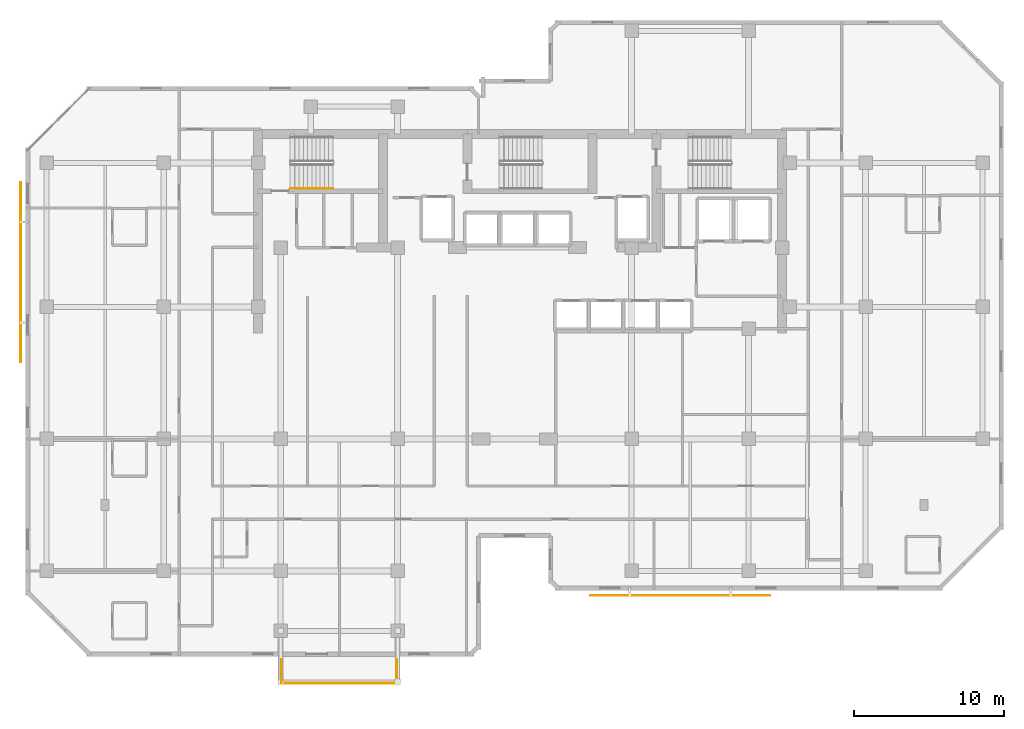
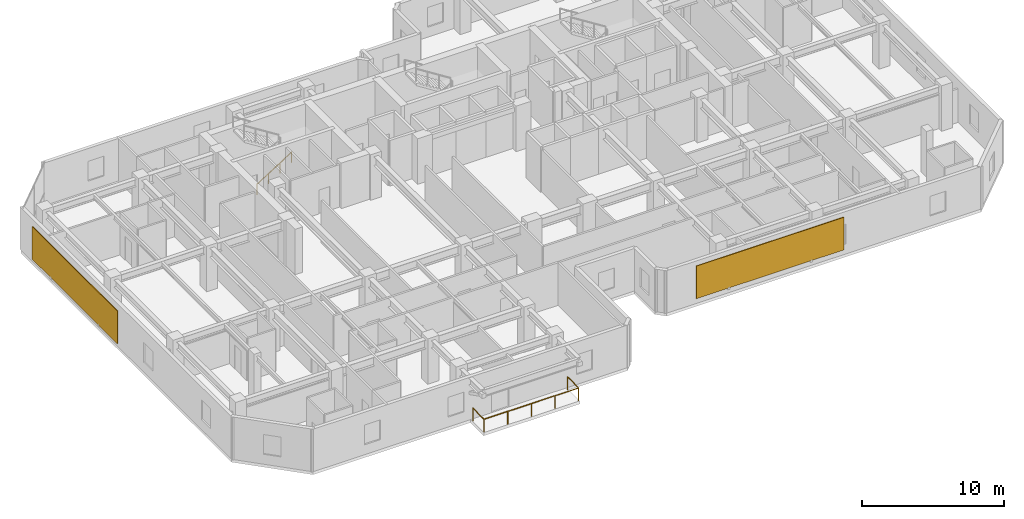
# One storey, part 10 of 11: 3 railings, 2 shading devices.
"""IFC4 building model written with IfcOpenShell, lengths in metres."""

from ifc_helpers import new_model, si_unit, direction, frame, origin, origin_2d, place, context, subcontext, project, spatial, rectangle, circle, extrude, material, layer, layer_set, type_object, element, save


model = new_model("IFC4")

# Units and contexts
model_context = context("Model", 3, precision=1e-05, world=origin(), true_north=direction((0.0, 1.0)))
body_context = subcontext(model_context, "Body", "Model", "MODEL_VIEW")
ifc_project = project(units=[si_unit("LENGTHUNIT", "METRE"), si_unit("AREAUNIT", "SQUARE_METRE"), si_unit("VOLUMEUNIT", "CUBIC_METRE"), si_unit("PLANEANGLEUNIT", "RADIAN"), si_unit("MASSUNIT", "GRAM", prefix="KILO")], contexts=[model_context])

# Site, building, storey
site_placement = place(None, origin())
site = spatial("IfcSite", under=ifc_project, at=site_placement, CompositionType="ELEMENT")
building_placement = place(site_placement, origin())
building = spatial("IfcBuilding", under=site, at=building_placement, Name="Kestravale Grand Hotel", CompositionType="ELEMENT")
storey_placement = place(building_placement, frame((0.0, 0.0, 204.60009765625)))
storey = spatial("IfcBuildingStorey", under=building, at=storey_placement, Name="L51", CompositionType="ELEMENT", Elevation=204.60009765625)

# Railings
ifc_material_1 = material(Name="Champagne-bronze stainless steel and laminated glass guard", Category="steel")
railing_type_1 = type_object("IfcRailingType", Name="RL-EXT-1100", PredefinedType="GUARDRAIL", material=ifc_material_1)
railing_1_placement = place(storey_placement, frame((23.4599609375, 3.7099609375, 0.0)))
element("IfcRailing", 1, at=railing_1_placement, inside=storey, type_object=railing_type_1, Name="L51 outdoor terrace guard 1", PredefinedType="GUARDRAIL", context=body_context, shape_type="SweptSolid", body=[
    extrude(circle(Radius=0.02392578125, at=origin_2d()), frame((0.0, 0.0, 1.09619140625), z_axis=(0.0, 1.0, 0.0), x_axis=(-1.0, 0.0, 0.0)), (0.0, 0.0, 1.0), 1.570068359375),
    extrude(circle(Radius=0.02099609375, at=origin_2d()), origin(), (0.0, 0.0, 1.0), 1.072021484375),
    extrude(circle(Radius=0.02099609375, at=origin_2d()), frame((0.0, 1.570068359375, 0.0)), (0.0, 0.0, 1.0), 1.072021484375),
])
railing_2_placement = place(storey_placement, frame((31.139892578125, 5.280029296875, 0.0)))
element("IfcRailing", 2, at=railing_2_placement, inside=storey, type_object=railing_type_1, Name="L51 outdoor terrace guard 2", PredefinedType="GUARDRAIL", context=body_context, shape_type="SweptSolid", body=[
    extrude(circle(Radius=0.02392578125, at=origin_2d()), frame((0.0, 0.0, 1.09619140625), z_axis=(0.0, -1.0, 0.0), x_axis=(1.0, 0.0, 0.0)), (0.0, 0.0, 1.0), 1.570068359375),
    extrude(circle(Radius=0.02392578125, at=origin_2d()), frame((0.0, -1.570068359375, 1.09619140625), z_axis=(-1.0, 0.0, 0.0), x_axis=(0.0, -1.0, 0.0)), (0.0, 0.0, 1.0), 7.679931640625),
    extrude(circle(Radius=0.02099609375, at=origin_2d()), origin(), (0.0, 0.0, 1.0), 1.072021484375),
    extrude(circle(Radius=0.02099609375, at=origin_2d()), frame((0.0, -1.570068359375, 0.0)), (0.0, 0.0, 1.0), 1.072021484375),
    extrude(circle(Radius=0.02099609375, at=origin_2d()), frame((-1.919921875, -1.570068359375, 0.0)), (0.0, 0.0, 1.0), 1.072021484375),
    extrude(circle(Radius=0.02099609375, at=origin_2d()), frame((-3.83984375, -1.570068359375, 0.0)), (0.0, 0.0, 1.0), 1.072021484375),
    extrude(circle(Radius=0.02099609375, at=origin_2d()), frame((-5.760009765625, -1.570068359375, 0.0)), (0.0, 0.0, 1.0), 1.072021484375),
    extrude(circle(Radius=0.02099609375, at=origin_2d()), frame((-7.679931640625, -1.570068359375, 0.0)), (0.0, 0.0, 1.0), 1.072021484375),
])
ifc_material_2 = material(Name="Brushed stainless steel wall handrail", Category="steel")
railing_type_2 = type_object("IfcRailingType", Name="RL-ST-HND900", PredefinedType="HANDRAIL", material=ifc_material_2)
railing_3_placement = place(storey_placement, frame((24.080078125, 36.699951171875, 0.17724609375)))
element("IfcRailing", 3, at=railing_3_placement, inside=storey, type_object=railing_type_2, Name="L51 ST-1 stair handrail 1", PredefinedType="HANDRAIL", context=body_context, shape_type="SweptSolid", body=[
    extrude(circle(Radius=0.02392578125, at=origin_2d()), frame((0.0, 0.0, 0.8759765625), z_axis=(0.844887892834, 0.0, 0.53494340686), x_axis=(0.0, 1.0, 0.0)), (0.0, 0.0, 1.0), 3.313720703125),
    extrude(circle(Radius=0.02099609375, at=origin_2d()), origin(), (0.0, 0.0, 1.0), 0.851806640625),
    extrude(circle(Radius=0.02099609375, at=origin_2d()), frame((0.933349609375, 0.0, 0.5908203125)), (0.0, 0.0, 1.0), 0.851806640625),
    extrude(circle(Radius=0.02099609375, at=origin_2d()), frame((1.866455078125, 0.0, 1.181884765625)), (0.0, 0.0, 1.0), 0.851806640625),
    extrude(circle(Radius=0.02099609375, at=origin_2d()), frame((2.7998046875, 0.0, 1.772705078125)), (0.0, 0.0, 1.0), 0.851806640625),
])

# Shading devices
ifc_material_3 = material(Name="Perforated champagne-bronze aluminium and ceramic solar screen", Category="aluminium")
ifc_layer = layer(ifc_material_3, 0.06494140625)
ifc_layer_set = layer_set([ifc_layer], Name="SHD-SCR-CHEV")
shading_device_type = type_object("IfcShadingDeviceType", Name="SHD-SCR-CHEV", PredefinedType="USERDEFINED", material=ifc_layer_set)
for number, where, z_axis, x_axis, name in (
    (4, (50.050048828125, 9.56005859375, 0.69970703125), (0.0, 0.0, 1.0), (1.0, 0.0, 0.0), "L51 Perforated bronze ceramic chevron solar screen SCR-L51-07"),
    (5, (6.06005859375, 31.10009765625, 0.69970703125), (0.0, 0.0, 1.0), (0.0, -1.0, 0.0), "L51 Perforated bronze ceramic chevron solar screen SCR-L51-19"),
):
    element("IfcShadingDevice", number, at=place(storey_placement, frame(where, z_axis=z_axis, x_axis=x_axis)), inside=storey, type_object=shading_device_type, Name=name, ObjectType="SCREEN", PredefinedType="USERDEFINED", context=body_context, shape_type="SweptSolid", body=[
        extrude(rectangle(XDim=12.0, YDim=0.06494140625, at=origin_2d()), origin(), (0.0, 0.0, 1.0), 2.800048828125),
    ])

save(model, "model.ifc")
